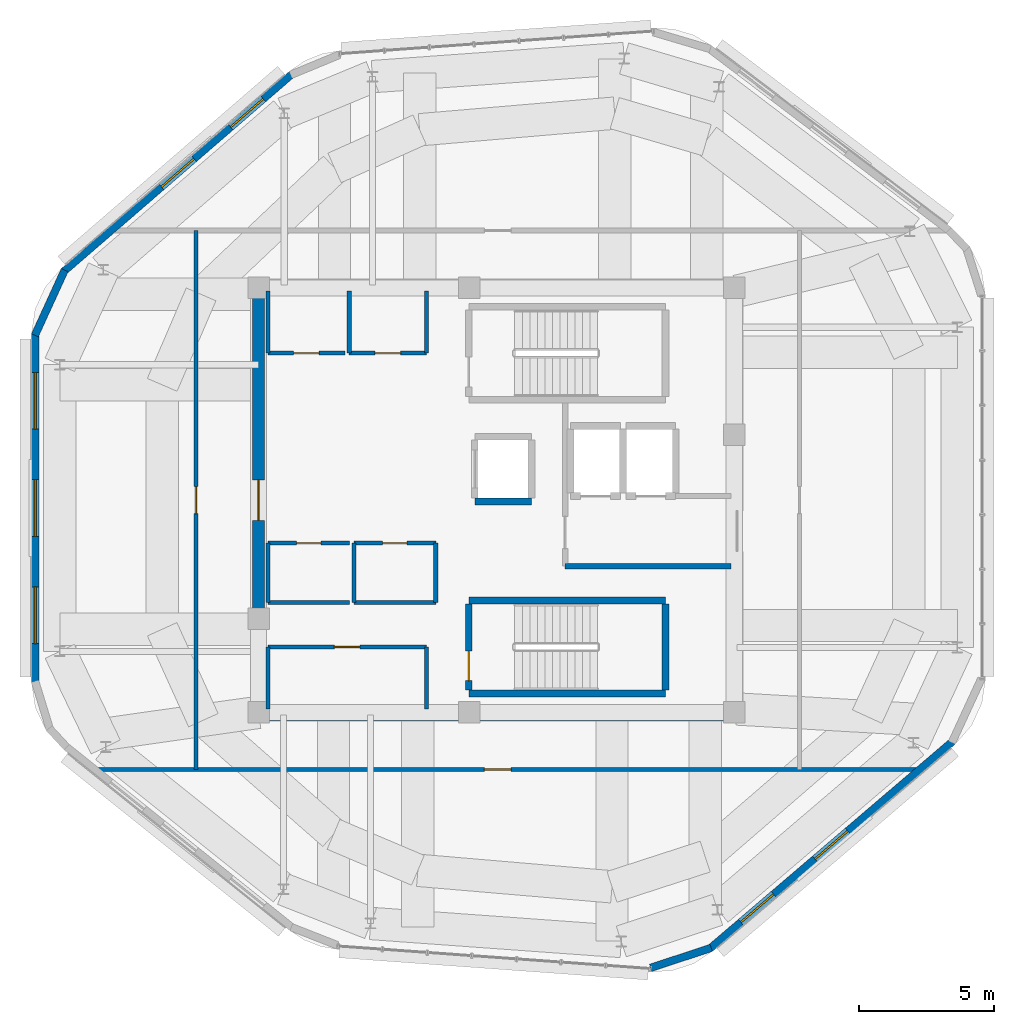
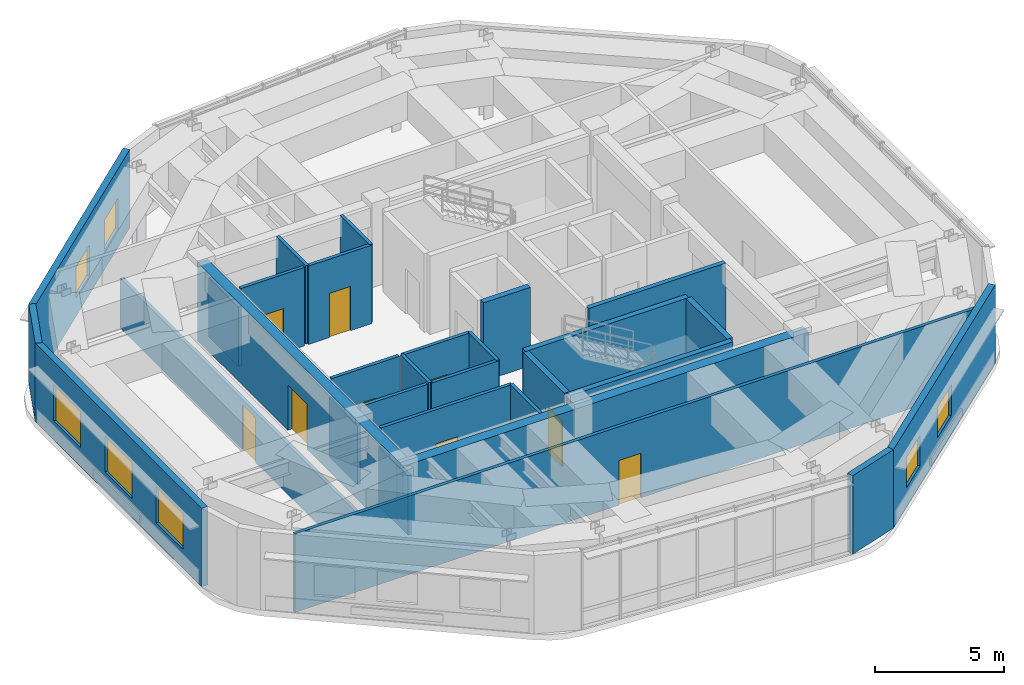
# One storey, part 10 of 12: 30 walls, 9 doors, 7 windows, 16 openings.
"""IFC4 building model written with IfcOpenShell, lengths in metres."""

from ifc_helpers import new_model, si_unit, direction, frame, frame_2d, origin, place, context, subcontext, project, spatial, rectangle, extrude, material, layer, layer_set, type_object, element, fill, save


model = new_model("IFC4")

# Units and contexts
model_context = context("Model", 3, precision=1e-05, world=origin(), true_north=direction((0.0, 1.0)))
body_context = subcontext(model_context, "Body", "Model", "MODEL_VIEW")
ifc_project = project(units=[si_unit("LENGTHUNIT", "METRE"), si_unit("AREAUNIT", "SQUARE_METRE"), si_unit("VOLUMEUNIT", "CUBIC_METRE"), si_unit("PLANEANGLEUNIT", "RADIAN"), si_unit("MASSUNIT", "GRAM", prefix="KILO")], contexts=[model_context])

# Site, building, storey
site_placement = place(None, origin())
site = spatial("IfcSite", under=ifc_project, at=site_placement, CompositionType="ELEMENT")
building_placement = place(site_placement, origin())
building = spatial("IfcBuilding", under=site, at=building_placement, Name="Zulverin Broadcast Headquarters", CompositionType="ELEMENT")
storey_placement = place(building_placement, frame((0.0, 0.0, 325.39990234375)))
storey = spatial("IfcBuildingStorey", under=building, at=storey_placement, Name="C4", CompositionType="ELEMENT", Elevation=325.39990234375)

# Wall
ifc_material_1 = material(Name="Concrete C50/60", Category="concrete")
ifc_layer_1 = layer(ifc_material_1, 0.449951171875, Name="Concrete C50/60", Category="concrete")
ifc_layer_set_1 = layer_set([ifc_layer_1], Name="Concrete C50/60")
wall_type_1 = type_object("IfcWallType", Name="WL-CORE-450", PredefinedType="SHEAR", material=ifc_layer_set_1)
wall_1_placement = place(storey_placement, frame((30.39990234375, 17.22509765625, 0.0), z_axis=(0.0, 0.0, 1.0), x_axis=(1.0, 0.0, 0.0)))
element("IfcWall", 1, at=wall_1_placement, inside=storey, type_object=wall_type_1, Name="C4 Core South Shear Wall", PredefinedType="SHEAR", context=body_context, shape_type="SweptSolid", body=[
    extrude(rectangle(XDim=18.2001953125, YDim=0.449951171875, at=frame_2d((9.10009765625, 0.0))), origin(), (0.0, 0.0, 1.0), 3.72021484375),
])

# Wall, opening, door
wall_2_placement = place(storey_placement, frame((30.625, 17.449951171875, 0.0), z_axis=(0.0, 0.0, 1.0), x_axis=(0.0, 1.0, 0.0)))
wall_2 = element("IfcWall", 2, at=wall_2_placement, inside=storey, type_object=wall_type_1, Name="C4 Core West Shear Wall", PredefinedType="SHEAR", context=body_context, shape_type="SweptSolid", body=[
    extrude(rectangle(XDim=15.5, YDim=0.449951171875, at=frame_2d((7.75, 0.0))), origin(), (0.0, 0.0, 1.0), 3.72021484375),
])
opening_1_placement = place(wall_2_placement, frame((7.0, 0.0, 0.0)))
opening_1 = element("IfcOpeningElement", 3, at=opening_1_placement, cuts=wall_2, Name="Opening D-C4-CW1", PredefinedType="OPENING", context=body_context, shape_type="SweptSolid", body=[
    extrude(rectangle(XDim=1.5, YDim=2.14990234375, at=frame_2d((0.75, 1.074951171875))), frame((0.0, 0.23486328125, 0.0), z_axis=(0.0, -1.0, 0.0), x_axis=(1.0, 0.0, 0.0)), (0.0, 0.0, 1.0), 0.469970703125),
])
ifc_material_2 = material(Name="Fire-rated glazed steel frame", Category="steel")
door_type_1 = type_object("IfcDoorType", Name="DR-COR-1500", OperationType="DOUBLE_DOOR_SINGLE_SWING", PredefinedType="DOOR", material=ifc_material_2)
door_1_placement = place(opening_1_placement, origin())
door_1 = element("IfcDoor", 4, at=door_1_placement, inside=storey, type_object=door_type_1, Name="C4 Central Lift Lobby West Portal Door", OperationType="DOUBLE_DOOR_SINGLE_SWING", OverallHeight=2.14990234375, OverallWidth=1.5, PredefinedType="DOOR", context=body_context, shape_type="SweptSolid", body=[
    extrude(rectangle(XDim=1.5, YDim=2.14990234375, at=frame_2d((0.75, 1.074951171875))), frame((0.0, 0.02490234375, 0.0), z_axis=(0.0, -1.0, 0.0), x_axis=(1.0, 0.0, 0.0)), (0.0, 0.0, 1.0), 0.050048828125),
])
fill(opening_1, door_1)

# Wall, openings, windows
ifc_material_3 = material(Name="Insulated pale-metal clad concrete spandrel C40/50", Category="concrete")
ifc_layer_2 = layer(ifc_material_3, 0.280029296875, Name="Insulated pale-metal clad concrete spandrel C40/50", Category="concrete")
ifc_layer_set_2 = layer_set([ifc_layer_2], Name="Insulated pale-metal clad concrete spandrel C40/50")
wall_type_2 = type_object("IfcWallType", Name="WL-EXT-280", PredefinedType="STANDARD", material=ifc_layer_set_2)
wall_3_placement = place(storey_placement, frame((47.371337890625, 8.558349609375, 0.0), z_axis=(0.0, 0.0, 1.0), x_axis=(0.760637685394, 0.649176641261, 0.0)))
wall_3 = element("IfcWall", 5, at=wall_3_placement, inside=storey, type_object=wall_type_2, Name="C4 Pale-Metal Clad Spandrel Wall 2", PredefinedType="STANDARD", context=body_context, shape_type="SweptSolid", body=[
    extrude(rectangle(XDim=11.85205078125, YDim=0.280029296875, at=frame_2d((5.926025390625, 0.0))), origin(), (0.0, 0.0, 1.0), 3.72021484375),
])
opening_2_placement = place(wall_3_placement, frame((1.5087890625, 0.0, 0.89990234375)))
opening_2 = element("IfcOpeningElement", 6, at=opening_2_placement, cuts=wall_3, Name="Opening W-C4-E21", PredefinedType="OPENING", context=body_context, shape_type="SweptSolid", body=[
    extrude(rectangle(XDim=1.60009765625, YDim=1.449951171875, at=frame_2d((0.800048828125, 0.72509765625))), frame((0.0, 0.14990234375, 0.0), z_axis=(0.0, -1.0, 0.0), x_axis=(1.0, 0.0, 0.0)), (0.0, 0.0, 1.0), 0.300048828125),
])
opening_3_placement = place(wall_3_placement, frame((5.1259765625, 0.0, 0.89990234375)))
opening_3 = element("IfcOpeningElement", 7, at=opening_3_placement, cuts=wall_3, Name="Opening W-C4-E22", PredefinedType="OPENING", context=body_context, shape_type="SweptSolid", body=[
    extrude(rectangle(XDim=1.60009765625, YDim=1.449951171875, at=frame_2d((0.800048828125, 0.72509765625))), frame((0.0, 0.14990234375, 0.0), z_axis=(0.0, -1.0, 0.0), x_axis=(1.0, 0.0, 0.0)), (0.0, 0.0, 1.0), 0.300048828125),
])
ifc_material_4 = material(Name="Pale anodized aluminium frame with solar-control low-E double glazing", Category="aluminium")
window_type_1 = type_object("IfcWindowType", Name="WIN-CRN-1600", PartitioningType="SINGLE_PANEL", PredefinedType="WINDOW", material=ifc_material_4)
window_1_placement = place(opening_2_placement, origin())
window_1 = element("IfcWindow", 8, at=window_1_placement, inside=storey, type_object=window_type_1, Name="C4 Ribbon Glazing Window 2 1", OverallHeight=1.449951171875, OverallWidth=1.60009765625, PartitioningType="SINGLE_PANEL", PredefinedType="WINDOW", context=body_context, shape_type="SweptSolid", body=[
    extrude(rectangle(XDim=1.60009765625, YDim=1.449951171875, at=frame_2d((0.800048828125, 0.72509765625))), frame((0.0, 0.030029296875, 0.0), z_axis=(0.0, -1.0, 0.0), x_axis=(1.0, 0.0, 0.0)), (0.0, 0.0, 1.0), 0.06005859375),
])
fill(opening_2, window_1)
window_2_placement = place(opening_3_placement, origin())
window_2 = element("IfcWindow", 9, at=window_2_placement, inside=storey, type_object=window_type_1, Name="C4 Ribbon Glazing Window 2 2", OverallHeight=1.449951171875, OverallWidth=1.60009765625, PartitioningType="SINGLE_PANEL", PredefinedType="WINDOW", context=body_context, shape_type="SweptSolid", body=[
    extrude(rectangle(XDim=1.60009765625, YDim=1.449951171875, at=frame_2d((0.800048828125, 0.72509765625))), frame((0.0, 0.030029296875, 0.0), z_axis=(0.0, -1.0, 0.0), x_axis=(1.0, 0.0, 0.0)), (0.0, 0.0, 1.0), 0.06005859375),
])
fill(opening_3, window_2)

wall_4_placement = place(storey_placement, frame((31.85595703125, 40.999267578125, 0.0), z_axis=(0.0, 0.0, 1.0), x_axis=(-0.756468872678, -0.654029697085, 0.0)))
wall_4 = element("IfcWall", 10, at=wall_4_placement, inside=storey, type_object=wall_type_2, Name="C4 Pale-Metal Clad Spandrel Wall 6", PredefinedType="STANDARD", context=body_context, shape_type="SweptSolid", body=[
    extrude(rectangle(XDim=11.179931640625, YDim=0.280029296875, at=frame_2d((5.58984375, 0.0))), origin(), (0.0, 0.0, 1.0), 3.72021484375),
])
opening_4_placement = place(wall_4_placement, frame((1.396728515625, 0.0, 0.89990234375)))
opening_4 = element("IfcOpeningElement", 11, at=opening_4_placement, cuts=wall_4, Name="Opening W-C4-E61", PredefinedType="OPENING", context=body_context, shape_type="SweptSolid", body=[
    extrude(rectangle(XDim=1.60009765625, YDim=1.449951171875, at=frame_2d((0.800048828125, 0.72509765625))), frame((0.0, 0.14990234375, 0.0), z_axis=(0.0, -1.0, 0.0), x_axis=(1.0, 0.0, 0.0)), (0.0, 0.0, 1.0), 0.300048828125),
])
opening_5_placement = place(wall_4_placement, frame((4.7900390625, 0.0, 0.89990234375)))
opening_5 = element("IfcOpeningElement", 12, at=opening_5_placement, cuts=wall_4, Name="Opening W-C4-E62", PredefinedType="OPENING", context=body_context, shape_type="SweptSolid", body=[
    extrude(rectangle(XDim=1.60009765625, YDim=1.449951171875, at=frame_2d((0.800048828125, 0.72509765625))), frame((0.0, 0.14990234375, 0.0), z_axis=(0.0, -1.0, 0.0), x_axis=(1.0, 0.0, 0.0)), (0.0, 0.0, 1.0), 0.300048828125),
])
window_3_placement = place(opening_4_placement, origin())
window_3 = element("IfcWindow", 13, at=window_3_placement, inside=storey, type_object=window_type_1, Name="C4 Ribbon Glazing Window 6 1", OverallHeight=1.449951171875, OverallWidth=1.60009765625, PartitioningType="SINGLE_PANEL", PredefinedType="WINDOW", context=body_context, shape_type="SweptSolid", body=[
    extrude(rectangle(XDim=1.60009765625, YDim=1.449951171875, at=frame_2d((0.800048828125, 0.72509765625))), frame((0.0, 0.030029296875, 0.0), z_axis=(0.0, -1.0, 0.0), x_axis=(1.0, 0.0, 0.0)), (0.0, 0.0, 1.0), 0.06005859375),
])
fill(opening_4, window_3)
window_4_placement = place(opening_5_placement, origin())
window_4 = element("IfcWindow", 14, at=window_4_placement, inside=storey, type_object=window_type_1, Name="C4 Ribbon Glazing Window 6 2", OverallHeight=1.449951171875, OverallWidth=1.60009765625, PartitioningType="SINGLE_PANEL", PredefinedType="WINDOW", context=body_context, shape_type="SweptSolid", body=[
    extrude(rectangle(XDim=1.60009765625, YDim=1.449951171875, at=frame_2d((0.800048828125, 0.72509765625))), frame((0.0, 0.030029296875, 0.0), z_axis=(0.0, -1.0, 0.0), x_axis=(1.0, 0.0, 0.0)), (0.0, 0.0, 1.0), 0.06005859375),
])
fill(opening_5, window_4)

wall_5_placement = place(storey_placement, frame((22.340087890625, 31.37255859375, 0.0), z_axis=(0.0, 0.0, 1.0), x_axis=(0.0, -1.0, 0.0)))
wall_5 = element("IfcWall", 15, at=wall_5_placement, inside=storey, type_object=wall_type_2, Name="C4 Pale-Metal Clad Spandrel Wall 7", PredefinedType="STANDARD", context=body_context, shape_type="SweptSolid", body=[
    extrude(rectangle(XDim=12.93505859375, YDim=0.280029296875, at=frame_2d((6.467529296875, 0.0))), origin(), (0.0, 0.0, 1.0), 3.72021484375),
])
opening_6_placement = place(wall_5_placement, frame((1.439208984375, 0.0, 0.89990234375)))
opening_6 = element("IfcOpeningElement", 16, at=opening_6_placement, cuts=wall_5, Name="Opening W-C4-E71", PredefinedType="OPENING", context=body_context, shape_type="SweptSolid", body=[
    extrude(rectangle(XDim=2.10009765625, YDim=1.699951171875, at=frame_2d((1.050048828125, 0.85009765625))), frame((0.0, 0.14990234375, 0.0), z_axis=(0.0, -1.0, 0.0), x_axis=(1.0, 0.0, 0.0)), (0.0, 0.0, 1.0), 0.300048828125),
])
opening_7_placement = place(wall_5_placement, frame((5.41748046875, 0.0, 0.89990234375)))
opening_7 = element("IfcOpeningElement", 17, at=opening_7_placement, cuts=wall_5, Name="Opening W-C4-E72", PredefinedType="OPENING", context=body_context, shape_type="SweptSolid", body=[
    extrude(rectangle(XDim=2.10009765625, YDim=1.699951171875, at=frame_2d((1.050048828125, 0.85009765625))), frame((0.0, 0.14990234375, 0.0), z_axis=(0.0, -1.0, 0.0), x_axis=(1.0, 0.0, 0.0)), (0.0, 0.0, 1.0), 0.300048828125),
])
opening_8_placement = place(wall_5_placement, frame((9.39599609375, 0.0, 0.89990234375)))
opening_8 = element("IfcOpeningElement", 18, at=opening_8_placement, cuts=wall_5, Name="Opening W-C4-E73", PredefinedType="OPENING", context=body_context, shape_type="SweptSolid", body=[
    extrude(rectangle(XDim=2.10009765625, YDim=1.699951171875, at=frame_2d((1.050048828125, 0.85009765625))), frame((0.0, 0.14990234375, 0.0), z_axis=(0.0, -1.0, 0.0), x_axis=(1.0, 0.0, 0.0)), (0.0, 0.0, 1.0), 0.300048828125),
])
window_type_2 = type_object("IfcWindowType", Name="WIN-CRN-2100", PartitioningType="SINGLE_PANEL", PredefinedType="WINDOW", material=ifc_material_4)
window_5_placement = place(opening_6_placement, origin())
window_5 = element("IfcWindow", 19, at=window_5_placement, inside=storey, type_object=window_type_2, Name="C4 Ribbon Glazing Window 7 1", OverallHeight=1.699951171875, OverallWidth=2.10009765625, PartitioningType="SINGLE_PANEL", PredefinedType="WINDOW", context=body_context, shape_type="SweptSolid", body=[
    extrude(rectangle(XDim=2.10009765625, YDim=1.699951171875, at=frame_2d((1.050048828125, 0.85009765625))), frame((0.0, 0.030029296875, 0.0), z_axis=(0.0, -1.0, 0.0), x_axis=(1.0, 0.0, 0.0)), (0.0, 0.0, 1.0), 0.06005859375),
])
fill(opening_6, window_5)
window_6_placement = place(opening_7_placement, origin())
window_6 = element("IfcWindow", 20, at=window_6_placement, inside=storey, type_object=window_type_2, Name="C4 Ribbon Glazing Window 7 2", OverallHeight=1.699951171875, OverallWidth=2.10009765625, PartitioningType="SINGLE_PANEL", PredefinedType="WINDOW", context=body_context, shape_type="SweptSolid", body=[
    extrude(rectangle(XDim=2.10009765625, YDim=1.699951171875, at=frame_2d((1.050048828125, 0.85009765625))), frame((0.0, 0.030029296875, 0.0), z_axis=(0.0, -1.0, 0.0), x_axis=(1.0, 0.0, 0.0)), (0.0, 0.0, 1.0), 0.06005859375),
])
fill(opening_7, window_6)
window_7_placement = place(opening_8_placement, origin())
window_7 = element("IfcWindow", 21, at=window_7_placement, inside=storey, type_object=window_type_2, Name="C4 Ribbon Glazing Window 7 3", OverallHeight=1.699951171875, OverallWidth=2.10009765625, PartitioningType="SINGLE_PANEL", PredefinedType="WINDOW", context=body_context, shape_type="SweptSolid", body=[
    extrude(rectangle(XDim=2.10009765625, YDim=1.699951171875, at=frame_2d((1.050048828125, 0.85009765625))), frame((0.0, 0.030029296875, 0.0), z_axis=(0.0, -1.0, 0.0), x_axis=(1.0, 0.0, 0.0)), (0.0, 0.0, 1.0), 0.06005859375),
])
fill(opening_8, window_7)

# Walls
wall_6_placement = place(storey_placement, frame((45.173095703125, 7.847412109375, 0.0), z_axis=(0.0, 0.0, 1.0), x_axis=(0.950058441306, 0.312072039925, 0.0)))
element("IfcWall", 22, at=wall_6_placement, inside=storey, type_object=wall_type_2, Name="C4 Wind-Shaped Corner Spandrel Wall 1-1", PredefinedType="STANDARD", context=body_context, shape_type="SweptSolid", body=[
    extrude(rectangle(XDim=2.36328125, YDim=0.280029296875, at=frame_2d((1.181640625, 0.0))), origin(), (0.0, 0.0, 1.0), 3.72021484375),
])
wall_7_placement = place(storey_placement, frame((23.434326171875, 33.735107421875, 0.0), z_axis=(0.0, 0.0, 1.0), x_axis=(-0.415833452509, -0.909440784094, 0.0)))
element("IfcWall", 23, at=wall_7_placement, inside=storey, type_object=wall_type_2, Name="C4 Wind-Shaped Corner Spandrel Wall 6-1", PredefinedType="STANDARD", context=body_context, shape_type="SweptSolid", body=[
    extrude(rectangle(XDim=2.661865234375, YDim=0.280029296875, at=frame_2d((1.3310546875, 0.0))), origin(), (0.0, 0.0, 1.0), 3.72021484375),
])
ifc_material_5 = material(Name="Concrete C40/50", Category="concrete")
ifc_layer_3 = layer(ifc_material_5, 0.199951171875, Name="Concrete C40/50", Category="concrete")
ifc_layer_set_3 = layer_set([ifc_layer_3], Name="Concrete C40/50")
wall_type_3 = type_object("IfcWallType", Name="WL-FFL-200", PredefinedType="SOLIDWALL", material=ifc_layer_set_3)
wall_8_placement = place(storey_placement, frame((42.0, 22.75, 0.0), z_axis=(0.0, 0.0, 1.0), x_axis=(1.0, 0.0, 0.0)))
element("IfcWall", 24, at=wall_8_placement, inside=storey, type_object=wall_type_3, Name="C4 Firefighting Lift Lobby South Wall", PredefinedType="SOLIDWALL", context=body_context, shape_type="SweptSolid", body=[
    extrude(rectangle(XDim=6.14990234375, YDim=0.199951171875, at=frame_2d((3.074951171875, 0.0))), origin(), (0.0, 0.0, 1.0), 3.72021484375),
])

# Wall, opening, door
ifc_material_6 = material(Name="Fire-rated gypsum stud partition", Category="gypsum")
ifc_layer_4 = layer(ifc_material_6, 0.14990234375, Name="Fire-rated gypsum stud partition", Category="gypsum")
ifc_layer_set_4 = layer_set([ifc_layer_4], Name="Fire-rated gypsum stud partition")
wall_type_4 = type_object("IfcWallType", Name="WL-PART-150", PredefinedType="PARTITIONING", material=ifc_layer_set_4)
wall_9_placement = place(storey_placement, frame((30.969970703125, 30.64990234375, 0.0), z_axis=(0.0, 0.0, 1.0), x_axis=(1.0, 0.0, 0.0)))
wall_9 = element("IfcWall", 25, at=wall_9_placement, inside=storey, type_object=wall_type_4, Name="C4 Core Accessible WC Front Wall", PredefinedType="PARTITIONING", context=body_context, shape_type="SweptSolid", body=[
    extrude(rectangle(XDim=2.860107421875, YDim=0.14990234375, at=frame_2d((1.43017578125, 0.0))), origin(), (0.0, 0.0, 1.0), 3.72021484375),
])
opening_9_placement = place(wall_9_placement, frame((0.955078125, 0.0, 0.0)))
opening_9 = element("IfcOpeningElement", 26, at=opening_9_placement, cuts=wall_9, Name="Opening D-C4-NC1", PredefinedType="OPENING", context=body_context, shape_type="SweptSolid", body=[
    extrude(rectangle(XDim=0.949951171875, YDim=2.10009765625, at=frame_2d((0.47509765625, 1.050048828125))), frame((0.0, 0.0849609375, 0.0), z_axis=(0.0, -1.0, 0.0), x_axis=(1.0, 0.0, 0.0)), (0.0, 0.0, 1.0), 0.169921875),
])
ifc_material_7 = material(Name="Fire-rated moisture-resistant laminate leaf", Category="wood")
door_type_2 = type_object("IfcDoorType", Name="DR-WC-950", OperationType="SINGLE_SWING_LEFT", PredefinedType="DOOR", material=ifc_material_7)
door_2_placement = place(opening_9_placement, origin())
door_2 = element("IfcDoor", 27, at=door_2_placement, inside=storey, type_object=door_type_2, Name="C4 Accessible WC Door", OperationType="SINGLE_SWING_LEFT", OverallHeight=2.10009765625, OverallWidth=0.949951171875, PredefinedType="DOOR", context=body_context, shape_type="SweptSolid", body=[
    extrude(rectangle(XDim=0.949951171875, YDim=2.10009765625, at=frame_2d((0.47509765625, 1.050048828125))), frame((0.0, 0.02490234375, 0.0), z_axis=(0.0, -1.0, 0.0), x_axis=(1.0, 0.0, 0.0)), (0.0, 0.0, 1.0), 0.050048828125),
])
fill(opening_9, door_2)

# Wall
wall_10_placement = place(storey_placement, frame((30.969970703125, 30.64990234375, 0.0), z_axis=(0.0, 0.0, 1.0), x_axis=(0.0, 1.0, 0.0)))
element("IfcWall", 28, at=wall_10_placement, inside=storey, type_object=wall_type_4, Name="C4 Core Accessible WC West Wall", PredefinedType="PARTITIONING", context=body_context, shape_type="SweptSolid", body=[
    extrude(rectangle(XDim=2.300048828125, YDim=0.14990234375, at=frame_2d((1.14990234375, 0.0))), origin(), (0.0, 0.0, 1.0), 2.820068359375),
])

# Wall, opening, door
wall_11_placement = place(storey_placement, frame((33.989990234375, 30.64990234375, 0.0), z_axis=(0.0, 0.0, 1.0), x_axis=(1.0, 0.0, 0.0)))
wall_11 = element("IfcWall", 29, at=wall_11_placement, inside=storey, type_object=wall_type_4, Name="C4 Core Male WC Front Wall", PredefinedType="PARTITIONING", context=body_context, shape_type="SweptSolid", body=[
    extrude(rectangle(XDim=2.860107421875, YDim=0.14990234375, at=frame_2d((1.43017578125, 0.0))), origin(), (0.0, 0.0, 1.0), 3.72021484375),
])
opening_10_placement = place(wall_11_placement, frame((0.955078125, 0.0, 0.0)))
opening_10 = element("IfcOpeningElement", 30, at=opening_10_placement, cuts=wall_11, Name="Opening D-C4-NC2", PredefinedType="OPENING", context=body_context, shape_type="SweptSolid", body=[
    extrude(rectangle(XDim=0.949951171875, YDim=2.10009765625, at=frame_2d((0.47509765625, 1.050048828125))), frame((0.0, 0.0849609375, 0.0), z_axis=(0.0, -1.0, 0.0), x_axis=(1.0, 0.0, 0.0)), (0.0, 0.0, 1.0), 0.169921875),
])
door_3_placement = place(opening_10_placement, origin())
door_3 = element("IfcDoor", 31, at=door_3_placement, inside=storey, type_object=door_type_2, Name="C4 Male WC Door", OperationType="SINGLE_SWING_RIGHT", OverallHeight=2.10009765625, OverallWidth=0.949951171875, PredefinedType="DOOR", context=body_context, shape_type="SweptSolid", body=[
    extrude(rectangle(XDim=0.949951171875, YDim=2.10009765625, at=frame_2d((0.47509765625, 1.050048828125))), frame((0.0, 0.02490234375, 0.0), z_axis=(0.0, -1.0, 0.0), x_axis=(1.0, 0.0, 0.0)), (0.0, 0.0, 1.0), 0.050048828125),
])
fill(opening_10, door_3)

# Walls
for number, where, z_axis, x_axis, name in (
    (32, (33.989990234375, 30.64990234375, 0.0), (0.0, 0.0, 1.0), (0.0, 1.0, 0.0), "C4 Core Male WC West Wall"),
    (33, (36.85009765625, 30.64990234375, 0.0), (0.0, 0.0, 1.0), (0.0, 1.0, 0.0), "C4 Core Male WC East Wall"),
):
    element("IfcWall", number, at=place(storey_placement, frame(where, z_axis=z_axis, x_axis=x_axis)), inside=storey, type_object=wall_type_4, Name=name, PredefinedType="PARTITIONING", context=body_context, shape_type="SweptSolid", body=[
        extrude(rectangle(XDim=2.300048828125, YDim=0.14990234375, at=frame_2d((1.14990234375, 0.0))), origin(), (0.0, 0.0, 1.0), 3.72021484375),
    ])

# Wall, opening, door
wall_12_placement = place(storey_placement, frame((30.969970703125, 19.75, 0.0), z_axis=(0.0, 0.0, 1.0), x_axis=(1.0, 0.0, 0.0)))
wall_12 = element("IfcWall", 34, at=wall_12_placement, inside=storey, type_object=wall_type_4, Name="C4 Core Female WC & Facilities Room Front Wall", PredefinedType="PARTITIONING", context=body_context, shape_type="SweptSolid", body=[
    extrude(rectangle(XDim=5.880126953125, YDim=0.14990234375, at=frame_2d((2.93994140625, 0.0))), origin(), (0.0, 0.0, 1.0), 3.72021484375),
])
opening_11_placement = place(wall_12_placement, frame((2.465087890625, 0.0, 0.0)))
opening_11 = element("IfcOpeningElement", 35, at=opening_11_placement, cuts=wall_12, Name="Opening D-C4-SC1", PredefinedType="OPENING", context=body_context, shape_type="SweptSolid", body=[
    extrude(rectangle(XDim=0.949951171875, YDim=2.10009765625, at=frame_2d((0.47509765625, 1.050048828125))), frame((0.0, 0.0849609375, 0.0), z_axis=(0.0, -1.0, 0.0), x_axis=(1.0, 0.0, 0.0)), (0.0, 0.0, 1.0), 0.169921875),
])
door_4_placement = place(opening_11_placement, origin())
door_4 = element("IfcDoor", 36, at=door_4_placement, inside=storey, type_object=door_type_2, Name="C4 Female WC & Facilities Room Door", OperationType="SINGLE_SWING_LEFT", OverallHeight=2.10009765625, OverallWidth=0.949951171875, PredefinedType="DOOR", context=body_context, shape_type="SweptSolid", body=[
    extrude(rectangle(XDim=0.949951171875, YDim=2.10009765625, at=frame_2d((0.47509765625, 1.050048828125))), frame((0.0, 0.02490234375, 0.0), z_axis=(0.0, -1.0, 0.0), x_axis=(1.0, 0.0, 0.0)), (0.0, 0.0, 1.0), 0.050048828125),
])
fill(opening_11, door_4)

# Walls
wall_13_placement = place(storey_placement, frame((30.969970703125, 17.449951171875, 0.0), z_axis=(0.0, 0.0, 1.0), x_axis=(0.0, 1.0, 0.0)))
element("IfcWall", 37, at=wall_13_placement, inside=storey, type_object=wall_type_4, Name="C4 Core Female WC & Facilities Room West Wall", PredefinedType="PARTITIONING", context=body_context, shape_type="SweptSolid", body=[
    extrude(rectangle(XDim=2.300048828125, YDim=0.14990234375, at=frame_2d((1.14990234375, 0.0))), origin(), (0.0, 0.0, 1.0), 2.820068359375),
])
wall_14_placement = place(storey_placement, frame((36.85009765625, 17.449951171875, 0.0), z_axis=(0.0, 0.0, 1.0), x_axis=(0.0, 1.0, 0.0)))
element("IfcWall", 38, at=wall_14_placement, inside=storey, type_object=wall_type_4, Name="C4 Core Female WC & Facilities Room East Wall", PredefinedType="PARTITIONING", context=body_context, shape_type="SweptSolid", body=[
    extrude(rectangle(XDim=2.300048828125, YDim=0.14990234375, at=frame_2d((1.14990234375, 0.0))), origin(), (0.0, 0.0, 1.0), 3.72021484375),
])
wall_15_placement = place(storey_placement, frame((30.969970703125, 21.39990234375, 0.0), z_axis=(0.0, 0.0, 1.0), x_axis=(1.0, 0.0, 0.0)))
element("IfcWall", 39, at=wall_15_placement, inside=storey, type_object=wall_type_4, Name="C4 Crown Mechanical Riser Room S Wall", PredefinedType="PARTITIONING", context=body_context, shape_type="SweptSolid", body=[
    extrude(rectangle(XDim=3.034912109375, YDim=0.14990234375, at=frame_2d((1.517578125, 0.0))), origin(), (0.0, 0.0, 1.0), 3.72021484375),
])

# Wall, opening, door
wall_16_placement = place(storey_placement, frame((30.969970703125, 23.60009765625, 0.0), z_axis=(0.0, 0.0, 1.0), x_axis=(1.0, 0.0, 0.0)))
wall_16 = element("IfcWall", 40, at=wall_16_placement, inside=storey, type_object=wall_type_4, Name="C4 Crown Mechanical Riser Room N Wall", PredefinedType="PARTITIONING", context=body_context, shape_type="SweptSolid", body=[
    extrude(rectangle(XDim=3.034912109375, YDim=0.14990234375, at=frame_2d((1.517578125, 0.0))), origin(), (0.0, 0.0, 1.0), 3.72021484375),
])
opening_12_placement = place(wall_16_placement, frame((1.0673828125, 0.0, 0.0)))
opening_12 = element("IfcOpeningElement", 41, at=opening_12_placement, cuts=wall_16, Name="Opening D-C4-RM1", PredefinedType="OPENING", context=body_context, shape_type="SweptSolid", body=[
    extrude(rectangle(XDim=0.89990234375, YDim=2.10009765625, at=frame_2d((0.449951171875, 1.050048828125))), frame((0.0, 0.0849609375, 0.0), z_axis=(0.0, -1.0, 0.0), x_axis=(1.0, 0.0, 0.0)), (0.0, 0.0, 1.0), 0.169921875),
])
ifc_material_8 = material(Name="Powder-coated steel access leaf", Category="steel")
door_type_3 = type_object("IfcDoorType", Name="DR-RISER-900", OperationType="SINGLE_SWING_LEFT", PredefinedType="DOOR", material=ifc_material_8)
door_5_placement = place(opening_12_placement, origin())
door_5 = element("IfcDoor", 42, at=door_5_placement, inside=storey, type_object=door_type_3, Name="C4 Crown Mechanical Riser Room Door", OperationType="SINGLE_SWING_RIGHT", OverallHeight=2.10009765625, OverallWidth=0.89990234375, PredefinedType="DOOR", context=body_context, shape_type="SweptSolid", body=[
    extrude(rectangle(XDim=0.89990234375, YDim=2.10009765625, at=frame_2d((0.449951171875, 1.050048828125))), frame((0.0, 0.02490234375, 0.0), z_axis=(0.0, -1.0, 0.0), x_axis=(1.0, 0.0, 0.0)), (0.0, 0.0, 1.0), 0.050048828125),
])
fill(opening_12, door_5)

# Walls
wall_17_placement = place(storey_placement, frame((30.969970703125, 21.39990234375, 0.0), z_axis=(0.0, 0.0, 1.0), x_axis=(0.0, 1.0, 0.0)))
element("IfcWall", 43, at=wall_17_placement, inside=storey, type_object=wall_type_4, Name="C4 Crown Mechanical Riser Room W Wall", PredefinedType="PARTITIONING", context=body_context, shape_type="SweptSolid", body=[
    extrude(rectangle(XDim=2.2001953125, YDim=0.14990234375, at=frame_2d((1.10009765625, 0.0))), origin(), (0.0, 0.0, 1.0), 2.820068359375),
])
wall_18_placement = place(storey_placement, frame((34.1650390625, 21.39990234375, 0.0), z_axis=(0.0, 0.0, 1.0), x_axis=(1.0, 0.0, 0.0)))
element("IfcWall", 44, at=wall_18_placement, inside=storey, type_object=wall_type_4, Name="C4 Crown Electrical Plant Room S Wall", PredefinedType="PARTITIONING", context=body_context, shape_type="SweptSolid", body=[
    extrude(rectangle(XDim=3.034912109375, YDim=0.14990234375, at=frame_2d((1.517578125, 0.0))), origin(), (0.0, 0.0, 1.0), 3.72021484375),
])

# Wall, opening, door
wall_19_placement = place(storey_placement, frame((34.1650390625, 23.60009765625, 0.0), z_axis=(0.0, 0.0, 1.0), x_axis=(1.0, 0.0, 0.0)))
wall_19 = element("IfcWall", 45, at=wall_19_placement, inside=storey, type_object=wall_type_4, Name="C4 Crown Electrical Plant Room N Wall", PredefinedType="PARTITIONING", context=body_context, shape_type="SweptSolid", body=[
    extrude(rectangle(XDim=3.034912109375, YDim=0.14990234375, at=frame_2d((1.517578125, 0.0))), origin(), (0.0, 0.0, 1.0), 3.72021484375),
])
opening_13_placement = place(wall_19_placement, frame((1.0673828125, 0.0, 0.0)))
opening_13 = element("IfcOpeningElement", 46, at=opening_13_placement, cuts=wall_19, Name="Opening D-C4-RM2", PredefinedType="OPENING", context=body_context, shape_type="SweptSolid", body=[
    extrude(rectangle(XDim=0.89990234375, YDim=2.10009765625, at=frame_2d((0.449951171875, 1.050048828125))), frame((0.0, 0.0849609375, 0.0), z_axis=(0.0, -1.0, 0.0), x_axis=(1.0, 0.0, 0.0)), (0.0, 0.0, 1.0), 0.169921875),
])
door_6_placement = place(opening_13_placement, origin())
door_6 = element("IfcDoor", 47, at=door_6_placement, inside=storey, type_object=door_type_3, Name="C4 Crown Electrical Plant Room Door", OperationType="SINGLE_SWING_LEFT", OverallHeight=2.10009765625, OverallWidth=0.89990234375, PredefinedType="DOOR", context=body_context, shape_type="SweptSolid", body=[
    extrude(rectangle(XDim=0.89990234375, YDim=2.10009765625, at=frame_2d((0.449951171875, 1.050048828125))), frame((0.0, 0.02490234375, 0.0), z_axis=(0.0, -1.0, 0.0), x_axis=(1.0, 0.0, 0.0)), (0.0, 0.0, 1.0), 0.050048828125),
])
fill(opening_13, door_6)

# Walls
for number, where, z_axis, x_axis, name in (
    (48, (34.1650390625, 21.39990234375, 0.0), (0.0, 0.0, 1.0), (0.0, 1.0, 0.0), "C4 Crown Electrical Plant Room W Wall"),
    (49, (37.199951171875, 21.39990234375, 0.0), (0.0, 0.0, 1.0), (0.0, 1.0, 0.0), "C4 Crown Electrical Plant Room E Wall"),
):
    element("IfcWall", number, at=place(storey_placement, frame(where, z_axis=z_axis, x_axis=x_axis)), inside=storey, type_object=wall_type_4, Name=name, PredefinedType="PARTITIONING", context=body_context, shape_type="SweptSolid", body=[
        extrude(rectangle(XDim=2.2001953125, YDim=0.14990234375, at=frame_2d((1.10009765625, 0.0))), origin(), (0.0, 0.0, 1.0), 3.72021484375),
    ])

# Wall, opening, door
wall_20_placement = place(storey_placement, frame((28.300048828125, 15.199951171875, 0.0), z_axis=(0.0, 0.0, 1.0), x_axis=(0.0, 1.0, 0.0)))
wall_20 = element("IfcWall", 50, at=wall_20_placement, inside=storey, type_object=wall_type_4, Name="C4 Gallery Partition Wall CG-02", PredefinedType="PARTITIONING", context=body_context, shape_type="SweptSolid", body=[
    extrude(rectangle(XDim=20.0, YDim=0.14990234375, at=frame_2d((10.0, 0.0))), origin(), (0.0, 0.0, 1.0), 2.3701171875),
])
opening_14_placement = place(wall_20_placement, frame((9.5, 0.0, 0.0)))
opening_14 = element("IfcOpeningElement", 51, at=opening_14_placement, cuts=wall_20, Name="Opening D-C4-CR1", PredefinedType="OPENING", context=body_context, shape_type="SweptSolid", body=[
    extrude(rectangle(XDim=1.0, YDim=2.1201171875, at=frame_2d((0.5, 1.06005859375))), frame((0.0, 0.0849609375, 0.0), z_axis=(0.0, -1.0, 0.0), x_axis=(1.0, 0.0, 0.0)), (0.0, 0.0, 1.0), 0.169921875),
])
ifc_material_9 = material(Name="Hardwood veneer acoustic leaf", Category="wood")
door_type_4 = type_object("IfcDoorType", Name="DR-OFF-1000", OperationType="SINGLE_SWING_LEFT", PredefinedType="DOOR", material=ifc_material_9)
door_7_placement = place(opening_14_placement, origin())
door_7 = element("IfcDoor", 52, at=door_7_placement, inside=storey, type_object=door_type_4, Name="C4 Standby UPS Battery Plant Room Door", OperationType="SINGLE_SWING_RIGHT", OverallHeight=2.1201171875, OverallWidth=1.0, PredefinedType="DOOR", context=body_context, shape_type="SweptSolid", body=[
    extrude(rectangle(XDim=1.0, YDim=2.1201171875, at=frame_2d((0.5, 1.06005859375))), frame((0.0, 0.02490234375, 0.0), z_axis=(0.0, -1.0, 0.0), x_axis=(1.0, 0.0, 0.0)), (0.0, 0.0, 1.0), 0.050048828125),
])
fill(opening_14, door_7)

wall_21_placement = place(storey_placement, frame((24.463623046875, 15.199951171875, 0.0), z_axis=(0.0, 0.0, 1.0), x_axis=(1.0, 0.0, 0.0)))
wall_21 = element("IfcWall", 53, at=wall_21_placement, inside=storey, type_object=wall_type_4, Name="C4 Gallery Partition Wall CG-03", PredefinedType="PARTITIONING", context=body_context, shape_type="SweptSolid", body=[
    extrude(rectangle(XDim=30.765380859375, YDim=0.14990234375, at=frame_2d((15.3828125, 0.0))), origin(), (0.0, 0.0, 1.0), 3.72021484375),
])
opening_15_placement = place(wall_21_placement, frame((14.536376953125, 0.0, 0.0)))
opening_15 = element("IfcOpeningElement", 54, at=opening_15_placement, cuts=wall_21, Name="Opening D-C4-CR4", PredefinedType="OPENING", context=body_context, shape_type="SweptSolid", body=[
    extrude(rectangle(XDim=1.0, YDim=2.1201171875, at=frame_2d((0.5, 1.06005859375))), frame((0.0, 0.0849609375, 0.0), z_axis=(0.0, -1.0, 0.0), x_axis=(1.0, 0.0, 0.0)), (0.0, 0.0, 1.0), 0.169921875),
])
door_8_placement = place(opening_15_placement, origin())
door_8 = element("IfcDoor", 55, at=door_8_placement, inside=storey, type_object=door_type_4, Name="C4 Microwave & Satellite Link Plant Room Door", OperationType="SINGLE_SWING_LEFT", OverallHeight=2.1201171875, OverallWidth=1.0, PredefinedType="DOOR", context=body_context, shape_type="SweptSolid", body=[
    extrude(rectangle(XDim=1.0, YDim=2.1201171875, at=frame_2d((0.5, 1.06005859375))), frame((0.0, 0.02490234375, 0.0), z_axis=(0.0, -1.0, 0.0), x_axis=(1.0, 0.0, 0.0)), (0.0, 0.0, 1.0), 0.050048828125),
])
fill(opening_15, door_8)

# Walls
ifc_layer_5 = layer(ifc_material_1, 0.25, Name="Concrete C50/60", Category="concrete")
ifc_layer_set_5 = layer_set([ifc_layer_5], Name="Concrete C50/60")
wall_type_5 = type_object("IfcWallType", Name="WL-SHAFT-250", PredefinedType="SHEAR", material=ifc_layer_set_5)
for number, where, z_axis, x_axis, name in (
    (56, (38.425048828125, 18.02490234375, 0.0), (0.0, 0.0, 1.0), (1.0, 0.0, 0.0), "C4 ST-2 Enclosure Wall S"),
    (57, (38.425048828125, 21.47509765625, 0.0), (0.0, 0.0, 1.0), (1.0, 0.0, 0.0), "C4 ST-2 Enclosure Wall N"),
):
    element("IfcWall", number, at=place(storey_placement, frame(where, z_axis=z_axis, x_axis=x_axis)), inside=storey, type_object=wall_type_5, Name=name, PredefinedType="SHEAR", context=body_context, shape_type="SweptSolid", body=[
        extrude(rectangle(XDim=7.300048828125, YDim=0.25, at=frame_2d((3.64990234375, 0.0))), origin(), (0.0, 0.0, 1.0), 3.72021484375),
    ])

# Wall, opening, door
wall_22_placement = place(storey_placement, frame((38.425048828125, 18.14990234375, 0.0), z_axis=(0.0, 0.0, 1.0), x_axis=(0.0, 1.0, 0.0)))
wall_22 = element("IfcWall", 58, at=wall_22_placement, inside=storey, type_object=wall_type_5, Name="C4 ST-2 Enclosure Wall W", PredefinedType="SHEAR", context=body_context, shape_type="SweptSolid", body=[
    extrude(rectangle(XDim=3.2001953125, YDim=0.25, at=frame_2d((1.60009765625, 0.0))), origin(), (0.0, 0.0, 1.0), 3.72021484375),
])
opening_16_placement = place(wall_22_placement, frame((0.35009765625, 0.0, 0.0)))
opening_16 = element("IfcOpeningElement", 59, at=opening_16_placement, cuts=wall_22, Name="Opening D-C4-ST-2", PredefinedType="OPENING", context=body_context, shape_type="SweptSolid", body=[
    extrude(rectangle(XDim=1.10009765625, YDim=2.14990234375, at=frame_2d((0.550048828125, 1.074951171875))), frame((0.0, 0.135009765625, 0.0), z_axis=(0.0, -1.0, 0.0), x_axis=(1.0, 0.0, 0.0)), (0.0, 0.0, 1.0), 0.27001953125),
])
ifc_material_10 = material(Name="Fire-rated steel leaf and frame", Category="steel")
door_type_5 = type_object("IfcDoorType", Name="DR-STAIR-1100", OperationType="SINGLE_SWING_LEFT", PredefinedType="DOOR", material=ifc_material_10)
door_9_placement = place(opening_16_placement, origin())
door_9 = element("IfcDoor", 60, at=door_9_placement, inside=storey, type_object=door_type_5, Name="C4 Exit Stair ST-2 Fire Door", OperationType="SINGLE_SWING_RIGHT", OverallHeight=2.14990234375, OverallWidth=1.10009765625, PredefinedType="DOOR", context=body_context, shape_type="SweptSolid", body=[
    extrude(rectangle(XDim=1.10009765625, YDim=2.14990234375, at=frame_2d((0.550048828125, 1.074951171875))), frame((0.0, 0.02490234375, 0.0), z_axis=(0.0, -1.0, 0.0), x_axis=(1.0, 0.0, 0.0)), (0.0, 0.0, 1.0), 0.050048828125),
])
fill(opening_16, door_9)

# Walls
wall_23_placement = place(storey_placement, frame((45.72509765625, 18.14990234375, 0.0), z_axis=(0.0, 0.0, 1.0), x_axis=(0.0, 1.0, 0.0)))
element("IfcWall", 61, at=wall_23_placement, inside=storey, type_object=wall_type_5, Name="C4 ST-2 Enclosure Wall E", PredefinedType="SHEAR", context=body_context, shape_type="SweptSolid", body=[
    extrude(rectangle(XDim=3.2001953125, YDim=0.25, at=frame_2d((1.60009765625, 0.0))), origin(), (0.0, 0.0, 1.0), 3.72021484375),
])
wall_24_placement = place(storey_placement, frame((38.64990234375, 25.14990234375, 0.0), z_axis=(0.0, 0.0, 1.0), x_axis=(1.0, 0.0, 0.0)))
element("IfcWall", 62, at=wall_24_placement, inside=storey, type_object=wall_type_5, Name="C4 Lift SVL-1 Shaft Wall S", PredefinedType="SHEAR", context=body_context, shape_type="SweptSolid", body=[
    extrude(rectangle(XDim=2.10009765625, YDim=0.25, at=frame_2d((1.050048828125, 0.0))), origin(), (0.0, 0.0, 1.0), 3.72021484375),
])

save(model, "model.ifc")
